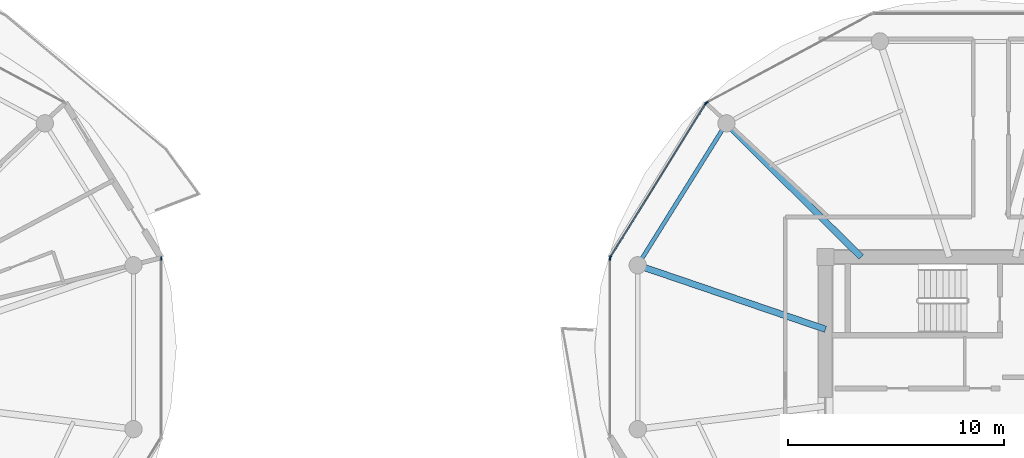
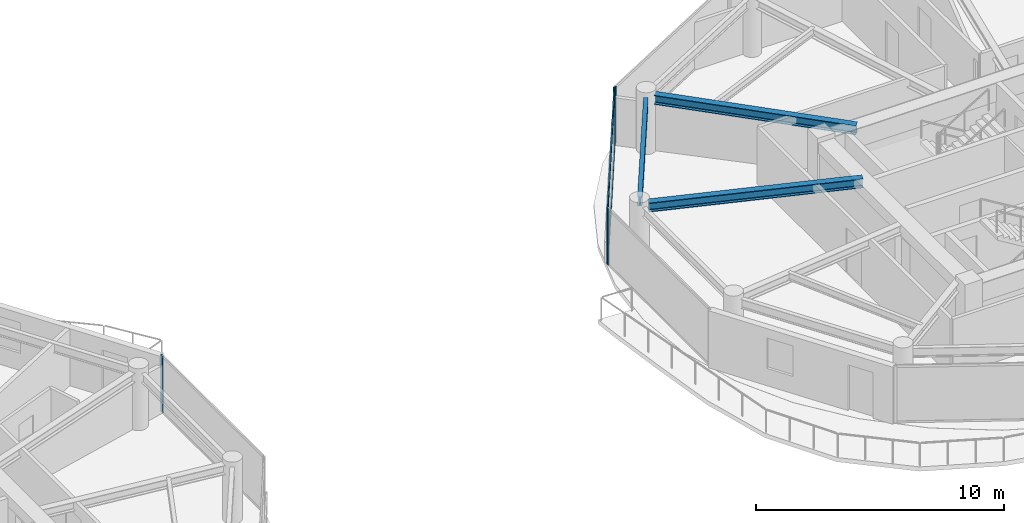
# One storey, part 7 of 21: 7 members, 3 beams, 4 elements without a shape of their own.
"""IFC4 building model written with IfcOpenShell, lengths in metres."""

from ifc_helpers import new_model, si_unit, direction, frame, origin, origin_2d, place, context, subcontext, project, spatial, rectangle, i_section, extrude, source, transform, mapped, material, layer, layer_set, material_profile, profile_set, type_object, type_shapes, element, aggregate, save


model = new_model("IFC4")

# Units and contexts
model_context = context("Model", 3, precision=1e-05, world=origin(), true_north=direction((0.0, 1.0)))
body_context = subcontext(model_context, "Body", "Model", "MODEL_VIEW")
ifc_project = project(units=[si_unit("LENGTHUNIT", "METRE"), si_unit("AREAUNIT", "SQUARE_METRE"), si_unit("VOLUMEUNIT", "CUBIC_METRE"), si_unit("PLANEANGLEUNIT", "RADIAN"), si_unit("MASSUNIT", "GRAM", prefix="KILO")], contexts=[model_context])

# Site, building, storey
site_placement = place(None, origin())
site = spatial("IfcSite", under=ifc_project, at=site_placement, CompositionType="ELEMENT")
building_placement = place(site_placement, origin())
building = spatial("IfcBuilding", under=site, at=building_placement, Name="Norrkilde Senior Care Towers", CompositionType="ELEMENT")
storey_placement = place(building_placement, frame((0.0, 0.0, 143.449951171875)))
storey = spatial("IfcBuildingStorey", under=building, at=storey_placement, Name="L44", CompositionType="ELEMENT", Elevation=143.449951171875)

# Beams
ifc_material_1 = material(Name="Steel S355", Category="steel")
ifc_material_profile_1 = material_profile(ifc_material_1, i_section(OverallWidth=0.18994140625, OverallDepth=0.449951171875, WebThickness=0.009521484375, FlangeThickness=0.0146484375, FilletRadius=0.02099609375, at=origin_2d()), Name="IPE 450")
ifc_profile_set_1 = profile_set([ifc_material_profile_1], Name="Steel S355")
beam_type_1 = type_object("IfcBeamType", Name="Perimeter Ring Spandrel Z3 IPE450", PredefinedType="SPANDREL", material=ifc_profile_set_1)
shared_shape_1 = source(origin(), body_context, "Body", "SweptSolid", [
    extrude(i_section(OverallWidth=0.18994140625, OverallDepth=0.449951171875, WebThickness=0.009521484375, FlangeThickness=0.0146484375, FilletRadius=0.02099609375, at=origin_2d()), origin(), (0.0, 0.0, 1.0), 7.0234375),
])
type_shapes(beam_type_1, [shared_shape_1])
beam_1_placement = place(storey_placement, frame((15.57666015625, 11.8291015625, 2.5849609375), z_axis=(-0.529789577822, -0.848129119433, 0.0), x_axis=(0.848129119433, -0.529789577822, 0.0)))
element("IfcBeam", 1, at=beam_1_placement, inside=storey, type_object=beam_type_1, Name="L44 Drum E Perimeter Spandrel 05", PredefinedType="SPANDREL", context=body_context, shape_type="MappedRepresentation", body=[
    mapped(shared_shape_1, transform((0.0, 0.0, 0.0), x_axis=(1.0, 0.0, 0.0), y_axis=(0.0, 1.0, 0.0), z_axis=(0.0, 0.0, 1.0), scale=1.0)),
])
ifc_material_profile_2 = material_profile(ifc_material_1, i_section(OverallWidth=0.300048828125, OverallDepth=0.449951171875, WebThickness=0.013916015625, FlangeThickness=0.02587890625, FilletRadius=0.027099609375, at=origin_2d()), Name="HEB 450")
ifc_profile_set_2 = profile_set([ifc_material_profile_2], Name="Steel S355")
beam_type_2 = type_object("IfcBeamType", Name="Radial Floor Beam Z3 HEB450", PredefinedType="BEAM", material=ifc_profile_set_2)
shared_shape_2 = source(origin(), body_context, "Body", "SweptSolid", [
    extrude(i_section(OverallWidth=0.300048828125, OverallDepth=0.449951171875, WebThickness=0.013916015625, FlangeThickness=0.02587890625, FilletRadius=0.027099609375, at=origin_2d()), origin(), (0.0, 0.0, 1.0), 8.8154296875),
])
beam_2_placement = place(storey_placement, frame((20.35009765625, 2.607177734375, 2.5849609375), z_axis=(-0.946540556878, 0.322584832539, 0.0), x_axis=(-0.322584832539, -0.946540556878, 0.0)))
element("IfcBeam", 2, at=beam_2_placement, inside=storey, type_object=beam_type_2, Name="L44 Drum E Radial Floor Beam 06", PredefinedType="BEAM", context=body_context, shape_type="MappedRepresentation", body=[
    mapped(shared_shape_2, transform((0.0, 0.0, 0.0), x_axis=(1.0, 0.0, 0.0), y_axis=(0.0, 1.0, 0.0), z_axis=(0.0, 0.0, 1.0), scale=1.0)),
])
shared_shape_3 = source(origin(), body_context, "Body", "SweptSolid", [
    extrude(i_section(OverallWidth=0.300048828125, OverallDepth=0.449951171875, WebThickness=0.013916015625, FlangeThickness=0.02587890625, FilletRadius=0.027099609375, at=origin_2d()), origin(), (0.0, 0.0, 1.0), 8.421630859375),
])
type_shapes(beam_type_2, [shared_shape_2, shared_shape_3])
beam_3_placement = place(storey_placement, frame((22.001953125, 5.949951171875, 2.5849609375), z_axis=(-0.709956495972, 0.704245535184, 0.0), x_axis=(-0.704245535184, -0.709956495972, 0.0)))
element("IfcBeam", 3, at=beam_3_placement, inside=storey, type_object=beam_type_2, Name="L44 Drum E Radial Floor Beam 05", PredefinedType="BEAM", context=body_context, shape_type="MappedRepresentation", body=[
    mapped(shared_shape_3, transform((0.0, 0.0, 0.0), x_axis=(1.0, 0.0, 0.0), y_axis=(0.0, 1.0, 0.0), z_axis=(0.0, 0.0, 1.0), scale=1.0)),
])

# Curtain wall, member
ifc_material_2 = material(Name="Triple Low-E Insulated Glazing", Category="glass")
ifc_layer = layer(ifc_material_2, 0.18994140625)
ifc_layer_set = layer_set([ifc_layer], Name="Triple Low-E Insulated Glazing")
curtain_wall_type = type_object("IfcCurtainWallType", Name="CW4 Zone 3 Senior Residence Curtain Wall", PredefinedType="NOTDEFINED", material=ifc_layer_set)
curtain_wall_1_placement = place(storey_placement, origin())
curtain_wall_1 = element("IfcCurtainWall", 4, at=curtain_wall_1_placement, inside=storey, type_object=curtain_wall_type, Name="L44 Drum W Curtain Wall 11", PredefinedType="NOTDEFINED")
ifc_material_3 = material(Name="Anodised Aluminium", Category="aluminium")
ifc_material_profile_3 = material_profile(ifc_material_3, rectangle(XDim=0.06494140625, YDim=0.14990234375, at=origin_2d()), Name="ALU MULL 65x150")
ifc_profile_set_3 = profile_set([ifc_material_profile_3], Name="Anodised Aluminium")
member_type_1 = type_object("IfcMemberType", Name="Curtain Wall Mullion Z3-Z4 65x150", PredefinedType="MULLION", material=ifc_profile_set_3)
shared_shape_4 = source(origin(), body_context, "Body", "SweptSolid", [
    extrude(rectangle(XDim=0.06494140625, YDim=0.14990234375, at=origin_2d()), origin(), (0.0, 0.0, 1.0), 2.81005859375),
])
type_shapes(member_type_1, [shared_shape_4])
member_1_placement = place(storey_placement, frame((-10.38037109375, 5.878662109375, 0.0), z_axis=(0.0, 0.0, 1.0), x_axis=(1.0, 0.0, 0.0)))
member_1 = element("IfcMember", 5, at=member_1_placement, type_object=member_type_1, Name="CW-4 mullion 1", PredefinedType="MULLION", context=body_context, shape_type="MappedRepresentation", body=[
    mapped(shared_shape_4, transform((0.0, 0.0, 0.0), x_axis=(1.0, 0.0, 0.0), y_axis=(0.0, 1.0, 0.0), z_axis=(0.0, 0.0, 1.0), scale=1.0)),
])
aggregate(curtain_wall_1, [member_1])

curtain_wall_2_placement = place(storey_placement, origin())
curtain_wall_2 = element("IfcCurtainWall", 6, at=curtain_wall_2_placement, inside=storey, type_object=curtain_wall_type, Name="L44 Drum E Curtain Wall 03", PredefinedType="NOTDEFINED")
member_2_placement = place(storey_placement, frame((14.85546875, 13.09033203125, 0.0), z_axis=(0.0, 0.0, 1.0), x_axis=(-0.47311715104, 0.880999524059, 0.0)))
member_2 = element("IfcMember", 7, at=member_2_placement, type_object=member_type_1, Name="CW-4 mullion 1", PredefinedType="MULLION", context=body_context, shape_type="MappedRepresentation", body=[
    mapped(shared_shape_4, transform((0.0, 0.0, 0.0), x_axis=(1.0, 0.0, 0.0), y_axis=(0.0, 1.0, 0.0), z_axis=(0.0, 0.0, 1.0), scale=1.0)),
])
aggregate(curtain_wall_2, [member_2])

# Curtain wall, members
curtain_wall_3_placement = place(storey_placement, origin())
curtain_wall_3 = element("IfcCurtainWall", 8, at=curtain_wall_3_placement, inside=storey, type_object=curtain_wall_type, Name="L44 Drum E Curtain Wall 04", PredefinedType="NOTDEFINED")
member_3_placement = place(storey_placement, frame((10.3974609375, 5.93896484375, 0.0), z_axis=(0.0, 0.0, 1.0), x_axis=(-0.84963405474, 0.52737270789, 0.0)))
member_3 = element("IfcMember", 9, at=member_3_placement, type_object=member_type_1, Name="CW-4 mullion 1", PredefinedType="MULLION", context=body_context, shape_type="MappedRepresentation", body=[
    mapped(shared_shape_4, transform((0.0, 0.0, 0.0), x_axis=(1.0, 0.0, 0.0), y_axis=(0.0, 1.0, 0.0), z_axis=(0.0, 0.0, 1.0), scale=1.0)),
])
member_4_placement = place(storey_placement, frame((14.809814453125, 13.04736328125, 0.0), z_axis=(0.0, 0.0, 1.0), x_axis=(-0.84963405474, 0.52737270789, 0.0)))
member_4 = element("IfcMember", 10, at=member_4_placement, type_object=member_type_1, Name="CW-4 mullion 2", PredefinedType="MULLION", context=body_context, shape_type="MappedRepresentation", body=[
    mapped(shared_shape_4, transform((0.0, 0.0, 0.0), x_axis=(1.0, 0.0, 0.0), y_axis=(0.0, 1.0, 0.0), z_axis=(0.0, 0.0, 1.0), scale=1.0)),
])

# Curtain wall, member
curtain_wall_4_placement = place(storey_placement, origin())
curtain_wall_4 = element("IfcCurtainWall", 11, at=curtain_wall_4_placement, inside=storey, type_object=curtain_wall_type, Name="L44 Drum E Curtain Wall 05", PredefinedType="NOTDEFINED")
member_5_placement = place(storey_placement, frame((10.38037109375, 5.878662109375, 0.0), z_axis=(0.0, 0.0, 1.0), x_axis=(-1.0, 0.0, 0.0)))
member_5 = element("IfcMember", 12, at=member_5_placement, type_object=member_type_1, Name="CW-4 mullion 2", PredefinedType="MULLION", context=body_context, shape_type="MappedRepresentation", body=[
    mapped(shared_shape_4, transform((0.0, 0.0, 0.0), x_axis=(1.0, 0.0, 0.0), y_axis=(0.0, 1.0, 0.0), z_axis=(0.0, 0.0, 1.0), scale=1.0)),
])
aggregate(curtain_wall_4, [member_5])

# Member
ifc_material_profile_4 = material_profile(ifc_material_3, rectangle(XDim=0.06005859375, YDim=0.1201171875, at=origin_2d()), Name="ALU TRAN 60x120")
ifc_profile_set_4 = profile_set([ifc_material_profile_4], Name="Anodised Aluminium")
member_type_2 = type_object("IfcMemberType", Name="Curtain Wall Transom Typical 60x120", PredefinedType="USERDEFINED", material=ifc_profile_set_4)
shared_shape_5 = source(origin(), body_context, "Body", "SweptSolid", [
    extrude(rectangle(XDim=0.06005859375, YDim=0.1201171875, at=origin_2d()), origin(), (0.0, 0.0, 1.0), 8.301513671875),
])
type_shapes(member_type_2, [shared_shape_5])
member_6_placement = place(storey_placement, frame((10.414794921875, 5.966552734375, 0.030029296875), z_axis=(0.527368718394, 0.849636531029, 0.0), x_axis=(-0.849636531029, 0.527368718394, 0.0)))
member_6 = element("IfcMember", 13, at=member_6_placement, type_object=member_type_2, Name="CW-4 transom 1.1", ObjectType="TRANSOM", PredefinedType="USERDEFINED", context=body_context, shape_type="MappedRepresentation", body=[
    mapped(shared_shape_5, transform((0.0, 0.0, 0.0), x_axis=(1.0, 0.0, 0.0), y_axis=(0.0, 1.0, 0.0), z_axis=(0.0, 0.0, 1.0), scale=1.0)),
])

member_7_placement = place(storey_placement, frame((10.414794921875, 5.966552734375, 2.780029296875), z_axis=(0.527368718394, 0.849636531029, 0.0), x_axis=(-0.849636531029, 0.527368718394, 0.0)))
member_7 = element("IfcMember", 14, at=member_7_placement, type_object=member_type_2, Name="CW-4 transom 1.2", ObjectType="TRANSOM", PredefinedType="USERDEFINED", context=body_context, shape_type="MappedRepresentation", body=[
    mapped(shared_shape_5, transform((0.0, 0.0, 0.0), x_axis=(1.0, 0.0, 0.0), y_axis=(0.0, 1.0, 0.0), z_axis=(0.0, 0.0, 1.0), scale=1.0)),
])

aggregate(curtain_wall_3, [member_3, member_4, member_6, member_7])

save(model, "model.ifc")
